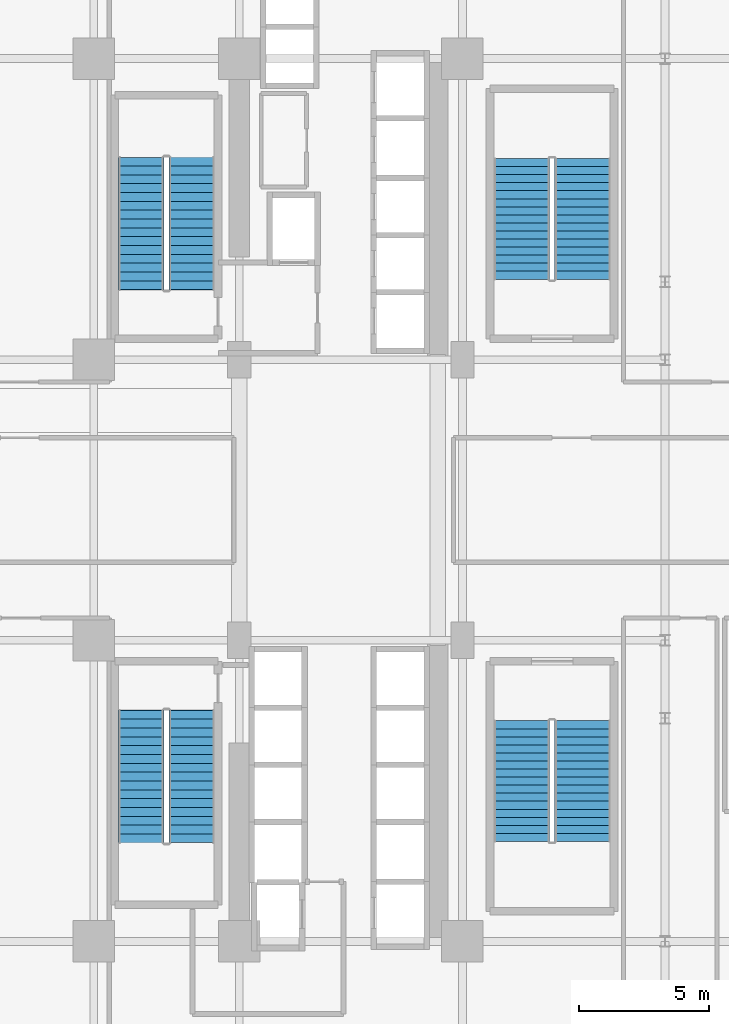
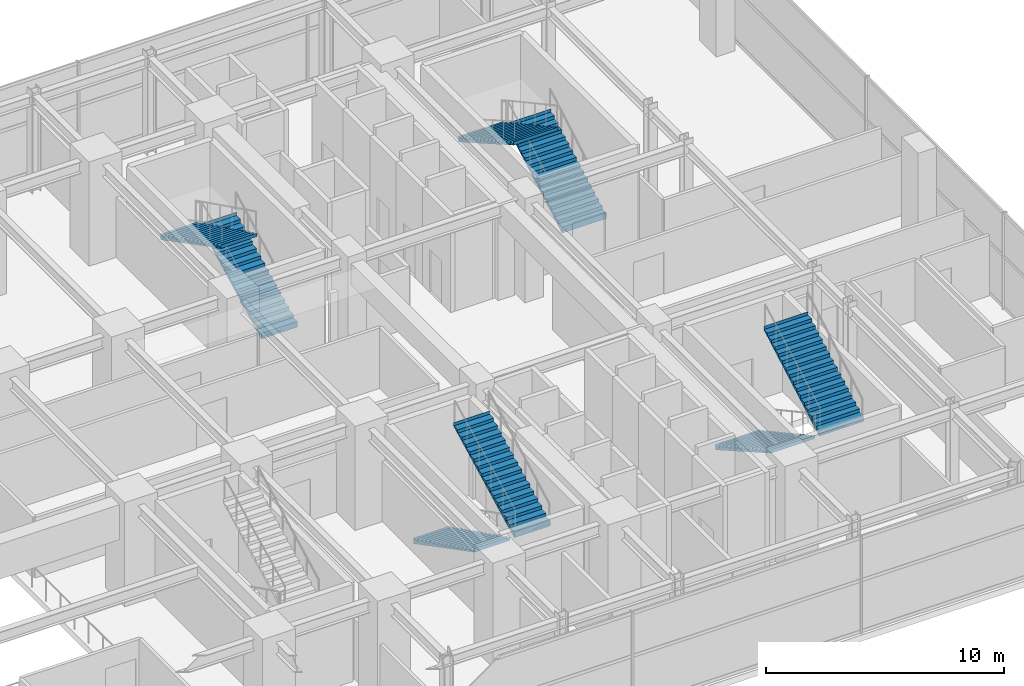
# One storey, part 31 of 35: 8 stair flights, 4 elements without a shape of their own.
"""IFC4 building model written with IfcOpenShell, lengths in metres."""

from ifc_helpers import new_model, si_unit, direction, frame, origin, place, context, subcontext, project, spatial, polyline, outline, extrude, source, transform, mapped, material, layer, layer_set, type_object, element, aggregate, save


model = new_model("IFC4")

# Units and contexts
model_context = context("Model", 3, precision=1e-05, world=origin(), true_north=direction((0.0, 1.0)))
body_context = subcontext(model_context, "Body", "Model", "MODEL_VIEW")
ifc_project = project(units=[si_unit("LENGTHUNIT", "METRE"), si_unit("AREAUNIT", "SQUARE_METRE"), si_unit("VOLUMEUNIT", "CUBIC_METRE"), si_unit("PLANEANGLEUNIT", "RADIAN"), si_unit("MASSUNIT", "GRAM", prefix="KILO")], contexts=[model_context])

# Site, building, storey
site_placement = place(None, origin())
site = spatial("IfcSite", under=ifc_project, at=site_placement, CompositionType="ELEMENT")
building_placement = place(site_placement, origin())
building = spatial("IfcBuilding", under=site, at=building_placement, Name="Nahalor Promenade Grand Hotel", CompositionType="ELEMENT")
storey_placement = place(building_placement, frame((0.0, 0.0, 21.60009765625)))
storey = spatial("IfcBuildingStorey", under=building, at=storey_placement, Name="L04", CompositionType="ELEMENT", Elevation=21.60009765625)

# Stair, stair flights
ifc_material = material(Name="Concrete B-50 (C40/50)", Category="concrete")
stair_type_1 = type_object("IfcStairType", Name="Stair-ST1", PredefinedType="HALF_TURN_STAIR", material=ifc_material)
stair_1_placement = place(storey_placement, origin())
stair_1 = element("IfcStair", 1, at=stair_1_placement, inside=storey, type_object=stair_type_1, Name="L04 ST1", PredefinedType="HALF_TURN_STAIR")
ifc_layer_1 = layer(ifc_material, 0.179931640625)
ifc_layer_set_1 = layer_set([ifc_layer_1], Name="Concrete B-50 (C40/50)")
stair_flight_type_1 = type_object("IfcStairFlightType", Name="Flight-ST1", PredefinedType="STRAIGHT", material=ifc_layer_set_1)
shared_shape_1 = source(origin(), body_context, "Body", "SweptSolid", [
    extrude(outline(polyline([(-0.00390625, -0.1201171875), (-0.00390625, 0.0), (0.0, 0.0), (0.0, 0.168701171875), (0.340087890625, 0.168701171875), (0.340087890625, 0.33740234375), (0.679931640625, 0.33740234375), (0.679931640625, 0.50634765625), (1.02001953125, 0.50634765625), (1.02001953125, 0.675048828125), (1.360107421875, 0.675048828125), (1.360107421875, 0.84375), (1.699951171875, 0.84375), (1.699951171875, 1.012451171875), (2.0400390625, 1.012451171875), (2.0400390625, 1.18115234375), (2.3798828125, 1.18115234375), (2.3798828125, 1.35009765625), (2.719970703125, 1.35009765625), (2.719970703125, 1.518798828125), (3.06005859375, 1.518798828125), (3.06005859375, 1.6875), (3.39990234375, 1.6875), (3.39990234375, 1.856201171875), (3.739990234375, 1.856201171875), (3.739990234375, 2.02490234375), (4.080078125, 2.02490234375), (4.080078125, 2.19384765625), (4.419921875, 2.19384765625), (4.419921875, 2.362548828125), (4.760009765625, 2.362548828125), (4.760009765625, 2.53125), (5.10009765625, 2.53125), (5.10009765625, 2.699951171875), (5.10400390625, 2.699951171875), (5.10400390625, 2.52001953125), (0.02001953125, -0.1201171875), (-0.00390625, -0.1201171875)])), frame((0.0, 0.875, 0.0), z_axis=(0.0, -1.0, 0.0), x_axis=(1.0, 0.0, 0.0)), (0.0, 0.0, 1.0), 1.75),
])
stair_flight_1_placement = place(storey_placement, frame((6.574951171875, 8.10009765625, 0.0), z_axis=(0.0, 0.0, 1.0), x_axis=(0.0, 1.0, 0.0)))
stair_flight_1 = element("IfcStairFlight", 2, at=stair_flight_1_placement, type_object=stair_flight_type_1, Name="ST1 flight 1", NumberOfRisers=16, NumberOfTreads=15, PredefinedType="STRAIGHT", RiserHeight=0.16875, TreadLength=0.34, context=body_context, shape_type="MappedRepresentation", body=[
    mapped(shared_shape_1, transform((0.0, 0.0, 0.0), scale=1.0)),
])
stair_flight_2_placement = place(storey_placement, frame((4.625, 13.199951171875, 2.699951171875), z_axis=(0.0, 0.0, 1.0), x_axis=(0.0, -1.0, 0.0)))
stair_flight_2 = element("IfcStairFlight", 3, at=stair_flight_2_placement, type_object=stair_flight_type_1, Name="ST1 flight 2", NumberOfRisers=16, NumberOfTreads=15, PredefinedType="STRAIGHT", RiserHeight=0.16875, TreadLength=0.34, context=body_context, shape_type="MappedRepresentation", body=[
    mapped(shared_shape_1, transform((0.0, 0.0, 0.0), scale=1.0)),
])
aggregate(stair_1, [stair_flight_1, stair_flight_2])

stair_type_2 = type_object("IfcStairType", Name="Stair-ST2", PredefinedType="HALF_TURN_STAIR", material=ifc_material)
stair_2_placement = place(storey_placement, origin())
stair_2 = element("IfcStair", 4, at=stair_2_placement, inside=storey, type_object=stair_type_2, Name="L04 ST2", PredefinedType="HALF_TURN_STAIR")
ifc_layer_2 = layer(ifc_material, 0.18994140625)
ifc_layer_set_2 = layer_set([ifc_layer_2], Name="Concrete B-50 (C40/50)")
stair_flight_type_2 = type_object("IfcStairFlightType", Name="Flight-ST2", PredefinedType="STRAIGHT", material=ifc_layer_set_2)
shared_shape_2 = source(origin(), body_context, "Body", "SweptSolid", [
    extrude(outline(polyline([(-0.00390625, -0.1201171875), (-0.00390625, 0.0), (0.0, 0.0), (0.0, 0.168701171875), (0.340087890625, 0.168701171875), (0.340087890625, 0.33740234375), (0.679931640625, 0.33740234375), (0.679931640625, 0.50634765625), (1.02001953125, 0.50634765625), (1.02001953125, 0.675048828125), (1.360107421875, 0.675048828125), (1.360107421875, 0.84375), (1.699951171875, 0.84375), (1.699951171875, 1.012451171875), (2.0400390625, 1.012451171875), (2.0400390625, 1.18115234375), (2.3798828125, 1.18115234375), (2.3798828125, 1.35009765625), (2.719970703125, 1.35009765625), (2.719970703125, 1.518798828125), (3.06005859375, 1.518798828125), (3.06005859375, 1.6875), (3.39990234375, 1.6875), (3.39990234375, 1.856201171875), (3.739990234375, 1.856201171875), (3.739990234375, 2.02490234375), (4.080078125, 2.02490234375), (4.080078125, 2.19384765625), (4.419921875, 2.19384765625), (4.419921875, 2.362548828125), (4.760009765625, 2.362548828125), (4.760009765625, 2.53125), (5.10009765625, 2.53125), (5.10009765625, 2.699951171875), (5.10400390625, 2.699951171875), (5.10400390625, 2.52001953125), (0.02001953125, -0.1201171875), (-0.00390625, -0.1201171875)])), frame((0.0, 0.875, 0.0), z_axis=(0.0, -1.0, 0.0), x_axis=(1.0, 0.0, 0.0)), (0.0, 0.0, 1.0), 1.75),
])
stair_flight_3_placement = place(storey_placement, frame((4.625, -8.10009765625, 0.0), z_axis=(0.0, 0.0, 1.0), x_axis=(0.0, -1.0, 0.0)))
stair_flight_3 = element("IfcStairFlight", 5, at=stair_flight_3_placement, type_object=stair_flight_type_2, Name="ST2 flight 1", NumberOfRisers=16, NumberOfTreads=15, PredefinedType="STRAIGHT", RiserHeight=0.16875, TreadLength=0.34, context=body_context, shape_type="MappedRepresentation", body=[
    mapped(shared_shape_2, transform((0.0, 0.0, 0.0), scale=1.0)),
])
stair_flight_4_placement = place(storey_placement, frame((6.574951171875, -13.199951171875, 2.699951171875), z_axis=(0.0, 0.0, 1.0), x_axis=(0.0, 1.0, 0.0)))
stair_flight_4 = element("IfcStairFlight", 6, at=stair_flight_4_placement, type_object=stair_flight_type_2, Name="ST2 flight 2", NumberOfRisers=16, NumberOfTreads=15, PredefinedType="STRAIGHT", RiserHeight=0.16875, TreadLength=0.34, context=body_context, shape_type="MappedRepresentation", body=[
    mapped(shared_shape_2, transform((0.0, 0.0, 0.0), scale=1.0)),
])
aggregate(stair_2, [stair_flight_3, stair_flight_4])

stair_type_3 = type_object("IfcStairType", Name="Stair-ST4", PredefinedType="HALF_TURN_STAIR", material=ifc_material)
stair_3_placement = place(storey_placement, origin())
stair_3 = element("IfcStair", 7, at=stair_3_placement, inside=storey, type_object=stair_type_3, Name="L04 ST4", PredefinedType="HALF_TURN_STAIR")
ifc_layer_3 = layer(ifc_material, 0.2099609375)
ifc_layer_set_3 = layer_set([ifc_layer_3], Name="Concrete B-50 (C40/50)")
stair_flight_type_3 = type_object("IfcStairFlightType", Name="Flight-ST4", PredefinedType="STRAIGHT", material=ifc_layer_set_3)
shared_shape_3 = source(origin(), body_context, "Body", "SweptSolid", [
    extrude(outline(polyline([(-0.00390625, -0.1201171875), (-0.00390625, 0.0), (0.0, 0.0), (0.0, 0.168701171875), (0.31005859375, 0.168701171875), (0.31005859375, 0.33740234375), (0.6201171875, 0.33740234375), (0.6201171875, 0.50634765625), (0.929931640625, 0.50634765625), (0.929931640625, 0.675048828125), (1.239990234375, 0.675048828125), (1.239990234375, 0.84375), (1.550048828125, 0.84375), (1.550048828125, 1.012451171875), (1.860107421875, 1.012451171875), (1.860107421875, 1.18115234375), (2.169921875, 1.18115234375), (2.169921875, 1.35009765625), (2.47998046875, 1.35009765625), (2.47998046875, 1.518798828125), (2.7900390625, 1.518798828125), (2.7900390625, 1.6875), (3.10009765625, 1.6875), (3.10009765625, 1.856201171875), (3.409912109375, 1.856201171875), (3.409912109375, 2.02490234375), (3.719970703125, 2.02490234375), (3.719970703125, 2.19384765625), (4.030029296875, 2.19384765625), (4.030029296875, 2.362548828125), (4.340087890625, 2.362548828125), (4.340087890625, 2.53125), (4.64990234375, 2.53125), (4.64990234375, 2.699951171875), (4.654052734375, 2.699951171875), (4.654052734375, 2.52001953125), (0.02001953125, -0.1201171875), (-0.00390625, -0.1201171875)])), frame((0.0, 1.074951171875, 0.0), z_axis=(0.0, -1.0, 0.0), x_axis=(1.0, 0.0, 0.0)), (0.0, 0.0, 1.0), 2.14990234375),
])
stair_flight_5_placement = place(storey_placement, frame((21.625, 8.5, 0.0), z_axis=(0.0, 0.0, 1.0), x_axis=(0.0, 1.0, 0.0)))
stair_flight_5 = element("IfcStairFlight", 8, at=stair_flight_5_placement, type_object=stair_flight_type_3, Name="ST4 flight 1", NumberOfRisers=16, NumberOfTreads=15, PredefinedType="STRAIGHT", RiserHeight=0.16875, TreadLength=0.31, context=body_context, shape_type="MappedRepresentation", body=[
    mapped(shared_shape_3, transform((0.0, 0.0, 0.0), scale=1.0)),
])
stair_flight_6_placement = place(storey_placement, frame((19.27490234375, 13.14990234375, 2.699951171875), z_axis=(0.0, 0.0, 1.0), x_axis=(0.0, -1.0, 0.0)))
stair_flight_6 = element("IfcStairFlight", 9, at=stair_flight_6_placement, type_object=stair_flight_type_3, Name="ST4 flight 2", NumberOfRisers=16, NumberOfTreads=15, PredefinedType="STRAIGHT", RiserHeight=0.16875, TreadLength=0.31, context=body_context, shape_type="MappedRepresentation", body=[
    mapped(shared_shape_3, transform((0.0, 0.0, 0.0), scale=1.0)),
])
aggregate(stair_3, [stair_flight_5, stair_flight_6])

stair_type_4 = type_object("IfcStairType", Name="Stair-ST5", PredefinedType="HALF_TURN_STAIR", material=ifc_material)
stair_4_placement = place(storey_placement, origin())
stair_4 = element("IfcStair", 10, at=stair_4_placement, inside=storey, type_object=stair_type_4, Name="L04 ST5", PredefinedType="HALF_TURN_STAIR")
ifc_layer_4 = layer(ifc_material, 0.219970703125)
ifc_layer_set_4 = layer_set([ifc_layer_4], Name="Concrete B-50 (C40/50)")
stair_flight_type_4 = type_object("IfcStairFlightType", Name="Flight-ST5", PredefinedType="STRAIGHT", material=ifc_layer_set_4)
shared_shape_4 = source(origin(), body_context, "Body", "SweptSolid", [
    extrude(outline(polyline([(-0.00390625, -0.1201171875), (-0.00390625, 0.0), (0.0, 0.0), (0.0, 0.168701171875), (0.31005859375, 0.168701171875), (0.31005859375, 0.33740234375), (0.6201171875, 0.33740234375), (0.6201171875, 0.50634765625), (0.929931640625, 0.50634765625), (0.929931640625, 0.675048828125), (1.239990234375, 0.675048828125), (1.239990234375, 0.84375), (1.550048828125, 0.84375), (1.550048828125, 1.012451171875), (1.860107421875, 1.012451171875), (1.860107421875, 1.18115234375), (2.169921875, 1.18115234375), (2.169921875, 1.35009765625), (2.47998046875, 1.35009765625), (2.47998046875, 1.518798828125), (2.7900390625, 1.518798828125), (2.7900390625, 1.6875), (3.10009765625, 1.6875), (3.10009765625, 1.856201171875), (3.409912109375, 1.856201171875), (3.409912109375, 2.02490234375), (3.719970703125, 2.02490234375), (3.719970703125, 2.19384765625), (4.030029296875, 2.19384765625), (4.030029296875, 2.362548828125), (4.340087890625, 2.362548828125), (4.340087890625, 2.53125), (4.64990234375, 2.53125), (4.64990234375, 2.699951171875), (4.654052734375, 2.699951171875), (4.654052734375, 2.52001953125), (0.02001953125, -0.1201171875), (-0.00390625, -0.1201171875)])), frame((0.0, 1.074951171875, 0.0), z_axis=(0.0, -1.0, 0.0), x_axis=(1.0, 0.0, 0.0)), (0.0, 0.0, 1.0), 2.14990234375),
])
stair_flight_7_placement = place(storey_placement, frame((19.27490234375, -8.5, 0.0), z_axis=(0.0, 0.0, 1.0), x_axis=(0.0, -1.0, 0.0)))
stair_flight_7 = element("IfcStairFlight", 11, at=stair_flight_7_placement, type_object=stair_flight_type_4, Name="ST5 flight 1", NumberOfRisers=16, NumberOfTreads=15, PredefinedType="STRAIGHT", RiserHeight=0.16875, TreadLength=0.31, context=body_context, shape_type="MappedRepresentation", body=[
    mapped(shared_shape_4, transform((0.0, 0.0, 0.0), scale=1.0)),
])
stair_flight_8_placement = place(storey_placement, frame((21.625, -13.14990234375, 2.699951171875), z_axis=(0.0, 0.0, 1.0), x_axis=(0.0, 1.0, 0.0)))
stair_flight_8 = element("IfcStairFlight", 12, at=stair_flight_8_placement, type_object=stair_flight_type_4, Name="ST5 flight 2", NumberOfRisers=16, NumberOfTreads=15, PredefinedType="STRAIGHT", RiserHeight=0.16875, TreadLength=0.31, context=body_context, shape_type="MappedRepresentation", body=[
    mapped(shared_shape_4, transform((0.0, 0.0, 0.0), scale=1.0)),
])
aggregate(stair_4, [stair_flight_7, stair_flight_8])

save(model, "model.ifc")
